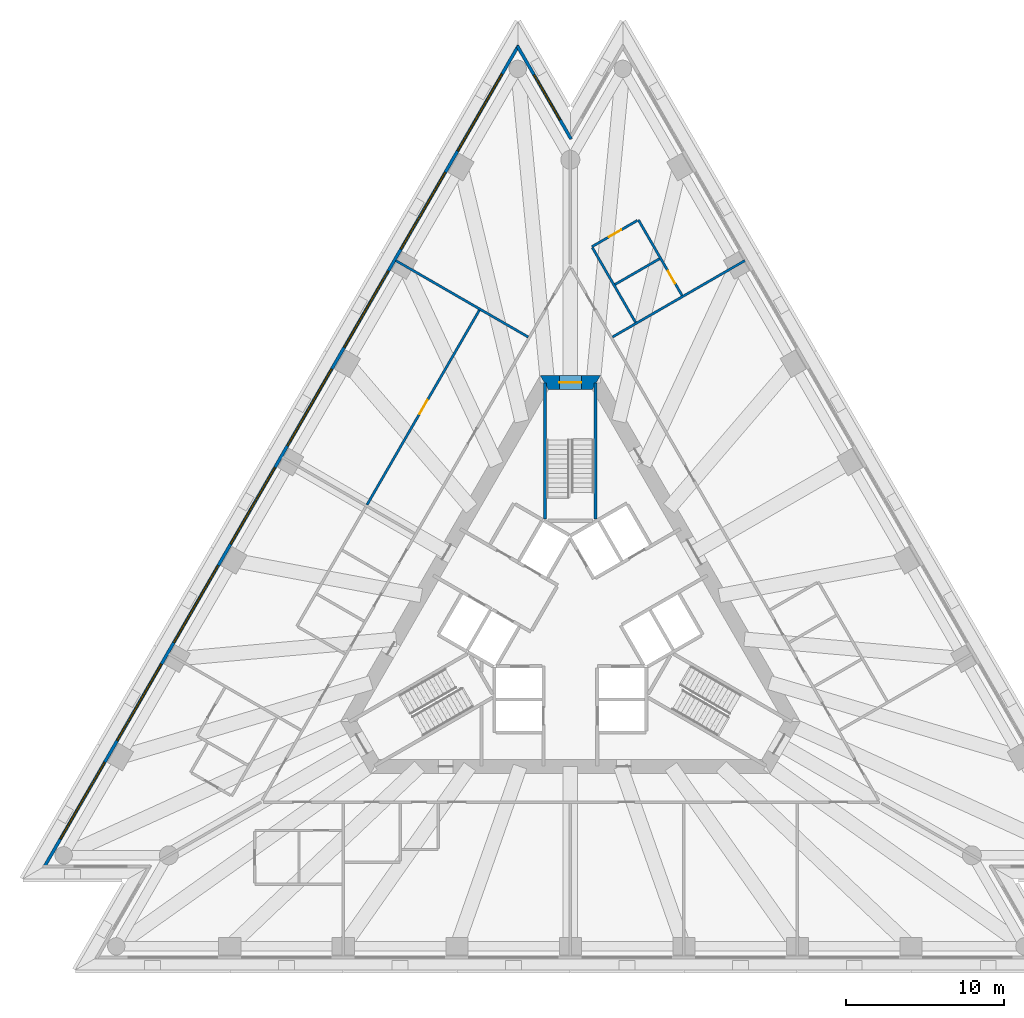
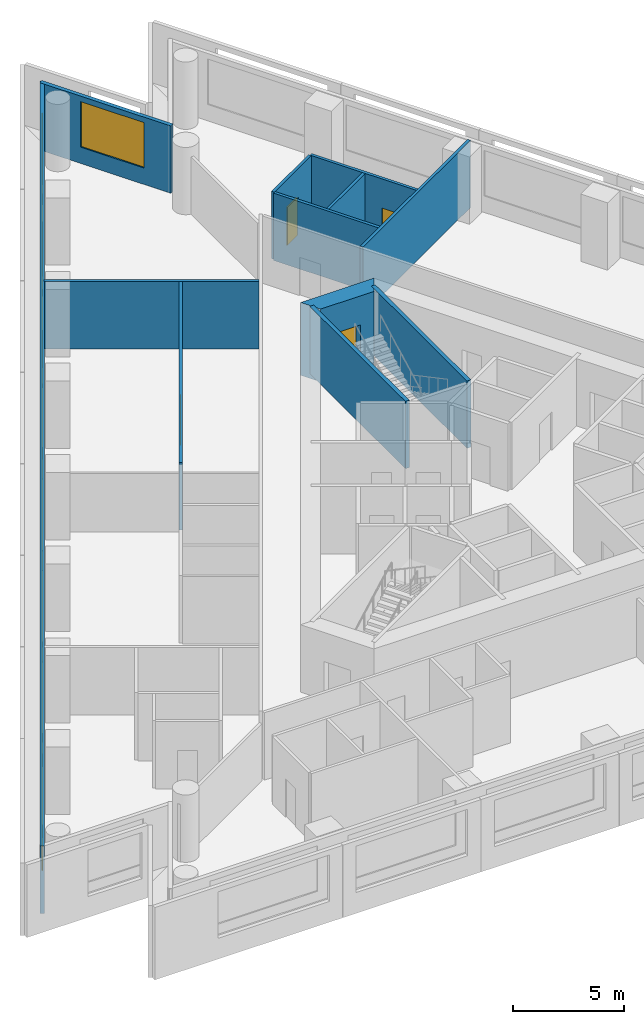
# One storey, part 7 of 11: 12 walls, 9 windows, 4 doors, 13 openings.
"""IFC4 building model written with IfcOpenShell, lengths in metres."""

import ifcopenshell
import ifcopenshell.guid

model = None  # the IFC model being written
_history = None  # IfcOwnerHistory: only IFC2X3 demands one
_inside = {}  # id of a spatial element -> (the spatial element, [elements in it])
_under = {}  # id of a project, library or spatial element -> (it, [spatial elements below it])
_declared = {}  # id of a project -> (the project, [libraries it declares])
_typed = {}  # id of a type object -> (the type object, [elements of that type])
_made_of = {}  # id of a material, layer set ... -> (it, [elements and type objects made of it])


def new_model(schema):
    """Start an empty IFC model of exactly this schema.

    Asked for "IFC4X3", IfcOpenShell would pick the latest addendum, in which some entities
    have other attributes; the version numbers below select the first issue.
    IFC2X3 requires an IfcOwnerHistory on every rooted entity: one is made here for all.
    """
    global model, _history
    if schema == "IFC4X3":
        model = ifcopenshell.file(schema_version=(4, 3, 0, 0))
    else:
        model = ifcopenshell.file(schema=schema)
    _inside.clear()
    _under.clear()
    _declared.clear()
    _typed.clear()
    _made_of.clear()
    _history = None
    if model.schema == "IFC2X3":
        org = make("IfcOrganization", Name="unknown")
        user = make(
            "IfcPersonAndOrganization",
            ThePerson=make("IfcPerson", FamilyName="unknown"),
            TheOrganization=org,
        )
        app = make(
            "IfcApplication",
            ApplicationDeveloper=org,
            Version="unknown",
            ApplicationFullName="unknown",
            ApplicationIdentifier="unknown",
        )
        _history = make(
            "IfcOwnerHistory",
            OwningUser=user,
            OwningApplication=app,
            ChangeAction="ADDED",
            CreationDate=0,
        )
    return model


def make(cls, **values):
    """One entity of the class cls with the attributes given. An attribute that is None is left unset."""
    return model.create_entity(
        cls, **{name: value for name, value in values.items() if value is not None}
    )


def rooted(cls, **values):
    """An entity with a GlobalId (a new one), such as an element, a storey or a relation."""
    return make(cls, GlobalId=ifcopenshell.guid.new(), OwnerHistory=_history, **values)


def si_unit(unit_type, name, prefix=None):
    """IfcSIUnit, for example si_unit("LENGTHUNIT", "METRE", prefix="MILLI")."""
    return make("IfcSIUnit", UnitType=unit_type, Prefix=prefix, Name=name)


def assignment(units):
    """IfcUnitAssignment: the units of a project."""
    return None if units is None else make("IfcUnitAssignment", Units=units)


def point(xyz):
    """IfcCartesianPoint."""
    return None if xyz is None else make("IfcCartesianPoint", Coordinates=xyz)


def direction(xyz):
    """IfcDirection."""
    return None if xyz is None else make("IfcDirection", DirectionRatios=xyz)


def frame(location, z_axis=None, x_axis=None):
    """IfcAxis2Placement3D, a coordinate frame: its origin and axes. An axis left out is left unset."""
    return make(
        "IfcAxis2Placement3D",
        Location=point(location),
        Axis=direction(z_axis),
        RefDirection=direction(x_axis),
    )


def frame_2d(location, x_axis=None):
    """IfcAxis2Placement2D, a coordinate frame in the plane: its origin and x axis."""
    return make(
        "IfcAxis2Placement2D", Location=point(location), RefDirection=direction(x_axis)
    )


def origin():
    """The frame at (0, 0, 0) with its axes left unset."""
    return frame((0.0, 0.0, 0.0))


def place(relative_to, where):
    """IfcLocalPlacement: puts the frame where relative to a parent placement (None: the world)."""
    return make(
        "IfcLocalPlacement", PlacementRelTo=relative_to, RelativePlacement=where
    )


def context(
    kind, dimensions, precision=None, world=None, true_north=None, identifier=None
):
    """IfcGeometricRepresentationContext, for example the 3D "Model" context."""
    return make(
        "IfcGeometricRepresentationContext",
        ContextIdentifier=identifier,
        ContextType=kind,
        CoordinateSpaceDimension=dimensions,
        Precision=precision,
        WorldCoordinateSystem=world,
        TrueNorth=true_north,
    )


def subcontext(parent, identifier, kind, view, scale=None):
    """IfcGeometricRepresentationSubContext, for example "Body" below "Model"."""
    return make(
        "IfcGeometricRepresentationSubContext",
        ContextIdentifier=identifier,
        ContextType=kind,
        ParentContext=parent,
        TargetScale=scale,
        TargetView=view,
    )


def project(units=None, contexts=None):
    """IfcProject with its units and contexts."""
    return rooted(
        "IfcProject",
        Name="project",
        RepresentationContexts=contexts,
        UnitsInContext=assignment(units),
    )


def spatial(cls, under=None, at=None, **own):
    """A site, building, storey or space (cls), placed at a placement, below another one or the project."""
    s = rooted(cls, ObjectPlacement=at, **own)
    if under is not None:
        _under.setdefault(under.id(), (under, []))[1].append(s)
    return s


def polyline(points):
    """IfcPolyline through the points."""
    return make("IfcPolyline", Points=[point(p) for p in points])


def profile(cls, at=None, kind="AREA", **sizes):
    """A parametric profile (cls). Its sizes go by their IFC names, for example OverallWidth=200.0."""
    return make(cls, ProfileType=kind, Position=at, **sizes)


def rectangle(**sizes):
    """IfcRectangleProfileDef."""
    return profile("IfcRectangleProfileDef", **sizes)


def outline(outer, holes=None, kind="AREA"):
    """IfcArbitraryClosedProfileDef: a profile drawn as a closed curve; with holes, ...WithVoids."""
    if holes is None:
        return make("IfcArbitraryClosedProfileDef", ProfileType=kind, OuterCurve=outer)
    return make(
        "IfcArbitraryProfileDefWithVoids",
        ProfileType=kind,
        OuterCurve=outer,
        InnerCurves=holes,
    )


def extrude(swept, where, along, depth):
    """IfcExtrudedAreaSolid: the profile swept, set in the frame where, extruded along a direction by depth."""
    return make(
        "IfcExtrudedAreaSolid",
        SweptArea=swept,
        Position=where,
        ExtrudedDirection=direction(along),
        Depth=depth,
    )


def shape(context_of_items, identifier, shape_type, items):
    """IfcShapeRepresentation: the items that make up one representation, for example the "Body"."""
    return make(
        "IfcShapeRepresentation",
        ContextOfItems=context_of_items,
        RepresentationIdentifier=identifier,
        RepresentationType=shape_type,
        Items=items,
    )


def material(Name=None, Category=None):
    """IfcMaterial."""
    return make("IfcMaterial", Name=Name, Category=Category)


def layer(
    of_material, thickness, ventilated=None, Name=None, Category=None, Priority=None
):
    """IfcMaterialLayer: one layer of a wall or slab, of a material (None: an air gap)."""
    return make(
        "IfcMaterialLayer",
        Material=of_material,
        LayerThickness=thickness,
        IsVentilated=ventilated,
        Name=Name,
        Category=Category,
        Priority=Priority,
    )


def layer_set(layers, Name=None):
    """IfcMaterialLayerSet."""
    return make("IfcMaterialLayerSet", MaterialLayers=layers, LayerSetName=Name)


def layer_usage(for_layer_set, set_direction, sense, offset, extent=None):
    """IfcMaterialLayerSetUsage: how a layer set lies in its element."""
    return make(
        "IfcMaterialLayerSetUsage",
        ForLayerSet=for_layer_set,
        LayerSetDirection=set_direction,
        DirectionSense=sense,
        OffsetFromReferenceLine=offset,
        ReferenceExtent=extent,
    )


def made_of(thing, what):
    """Note that an element or type object is made of a material, layer set ...; save() writes the relation."""
    if what is not None:
        _made_of.setdefault(what.id(), (what, []))[1].append(thing)
    return thing


def type_object(cls, material=None, **own):
    """A type object (cls), such as IfcWallType, which elements share."""
    return made_of(rooted(cls, **own), material)


def element(
    cls,
    number,
    at=None,
    inside=None,
    cuts=None,
    type_object=None,
    material=None,
    context=None,
    identifier="Body",
    shape_type=None,
    held_by="IfcProductDefinitionShape",
    body=None,
    shapes=None,
    **own,
):
    """One element of the class cls, such as IfcWall. Its Tag is "e" and its number.

    at: its placement. inside: the storey or other place that contains it. cuts: it is an
    opening in that element (IfcRelVoidsElement). A single representation is given by context,
    identifier, shape_type and body (its items); several are given by shapes. held_by: the class
    of the entity that holds the representations. save() writes the other relations.
    """
    e = rooted(cls, Tag="e%d" % number, ObjectPlacement=at, **own)
    if body is not None:
        shapes = [shape(context, identifier, shape_type, body)]
    if shapes is not None:
        e.Representation = make(held_by, Representations=shapes)
    if inside is not None:
        _inside.setdefault(inside.id(), (inside, []))[1].append(e)
    if cuts is not None:
        rooted(
            "IfcRelVoidsElement", RelatingBuildingElement=cuts, RelatedOpeningElement=e
        )
    if type_object is not None:
        _typed.setdefault(type_object.id(), (type_object, []))[1].append(e)
    return made_of(e, material)


def fill(opening, filler):
    """IfcRelFillsElement: the door or window that sits in an opening."""
    return rooted(
        "IfcRelFillsElement",
        RelatingOpeningElement=opening,
        RelatedBuildingElement=filler,
    )


def aggregate(whole, parts):
    """IfcRelAggregates: a whole, such as a stair, and the parts it consists of."""
    return rooted("IfcRelAggregates", RelatingObject=whole, RelatedObjects=parts)


def save(model, path):
    """Write the relations noted so far, then the file.

    IfcRelAggregates (storeys below a building ...), IfcRelContainedInSpatialStructure (elements
    in a storey), IfcRelDefinesByType, IfcRelAssociatesMaterial and IfcRelDeclares: one each for
    every whole, place, type object, material and project.
    """
    for whole, parts in _under.values():
        aggregate(whole, parts)
    for where, things in _inside.values():
        rooted(
            "IfcRelContainedInSpatialStructure",
            RelatedElements=things,
            RelatingStructure=where,
        )
    for kind, things in _typed.values():
        rooted("IfcRelDefinesByType", RelatedObjects=things, RelatingType=kind)
    for what, things in _made_of.values():
        rooted("IfcRelAssociatesMaterial", RelatedObjects=things, RelatingMaterial=what)
    for by, libraries in _declared.values():
        rooted("IfcRelDeclares", RelatingContext=by, RelatedDefinitions=libraries)
    model.write(path)


model = new_model("IFC4")

# Units and contexts
model_context = context("Model", 3, precision=1e-05, world=origin(), true_north=direction((0.0, 1.0)))
body_context = subcontext(model_context, "Body", "Model", "MODEL_VIEW")
ifc_project = project(units=[si_unit("LENGTHUNIT", "METRE"), si_unit("AREAUNIT", "SQUARE_METRE"), si_unit("VOLUMEUNIT", "CUBIC_METRE"), si_unit("PLANEANGLEUNIT", "RADIAN"), si_unit("MASSUNIT", "GRAM", prefix="KILO")], contexts=[model_context])

# Site, building, storey
site_placement = place(None, origin())
site = spatial("IfcSite", under=ifc_project, at=site_placement, CompositionType="ELEMENT")
building_placement = place(site_placement, origin())
building = spatial("IfcBuilding", under=site, at=building_placement, Name="Triada Interchange Tower", CompositionType="ELEMENT")
storey_placement = place(building_placement, frame((0.0, 0.0, 83.300048828125)))
storey = spatial("IfcBuildingStorey", under=building, at=storey_placement, Name="L18", CompositionType="ELEMENT", Elevation=83.300048828125)

# Walls
ifc_material_1 = material(Name="Concrete C30/37", Category="concrete")
ifc_layer_1 = layer(ifc_material_1, 0.199951171875)
ifc_layer_set_1 = layer_set([ifc_layer_1], Name="CORE WALL 200 REI 240")
wall_type_1 = type_object("IfcWallType", Name="CORE WALL 200 REI 240", PredefinedType="SOLIDWALL", material=ifc_layer_set_1)
for number, where, z_axis, x_axis, name in (
    (1, (1.60009765625, 6.614990234375, 0.0), (0.0, 0.0, 1.0), (0.0, 1.0, 0.0), "Wall L18 84"),
    (2, (-1.60009765625, 6.614990234375, 0.0), (0.0, 0.0, 1.0), (0.0, 1.0, 0.0), "Wall L18 86"),
):
    element("IfcWall", number, at=place(storey_placement, frame(where, z_axis=z_axis, x_axis=x_axis)), inside=storey, type_object=wall_type_1, Name=name, PredefinedType="SOLIDWALL", context=body_context, shape_type="SweptSolid", body=[
        extrude(rectangle(XDim=8.614990234375, YDim=0.199951171875, at=frame_2d((4.3076171875, 0.0))), origin(), (0.0, 0.0, 1.0), 3.699951171875),
    ])

# Wall, opening, door
ifc_material_2 = material(Name="Concrete C70/85", Category="concrete")
ifc_layer_2 = layer(ifc_material_2, 0.89990234375)
ifc_layer_set_2 = layer_set([ifc_layer_2], Name="Core wall A 900")
wall_type_2 = type_object("IfcWallType", Name="Core wall A 900", PredefinedType="SHEAR", material=ifc_layer_set_2)
wall_1_placement = place(storey_placement, frame((1.64501953125, 15.25, -0.300048828125), z_axis=(0.0, 0.0, 1.0), x_axis=(-1.0, 0.0, 0.0)))
wall_1 = element("IfcWall", 3, at=wall_1_placement, inside=storey, type_object=wall_type_2, Name="Core wall WA01 L18", PredefinedType="SHEAR", context=body_context, shape_type="SweptSolid", body=[
    extrude(outline(polyline([(-0.260009765625, -0.449951171875), (1.64501953125, -0.449951171875), (3.550048828125, -0.449951171875), (3.031005859375, 0.449951171875), (1.64501953125, 0.449951171875), (0.259033203125, 0.449951171875), (-0.260009765625, -0.449951171875)])), origin(), (0.0, 0.0, 1.0), 4.0),
])
opening_1_placement = place(wall_1_placement, frame((0.945068359375, 0.0, 0.300048828125)))
opening_1 = element("IfcOpeningElement", 4, at=opening_1_placement, cuts=wall_1, Name="Opening D18-39", PredefinedType="OPENING", context=body_context, shape_type="SweptSolid", body=[
    extrude(rectangle(XDim=1.39990234375, YDim=2.10009765625, at=frame_2d((0.699951171875, 1.050048828125))), frame((0.0, 0.4599609375, 0.0), z_axis=(0.0, -1.0, 0.0), x_axis=(1.0, 0.0, 0.0)), (0.0, 0.0, 1.0), 0.919921875),
])
ifc_material_3 = material(Name="Steel S235 door leaf", Category="steel")
door_type_1 = type_object("IfcDoorType", Name="STAIR DOOR 1400 EI2 90-C5S200", OperationType="DOUBLE_DOOR_SINGLE_SWING", PredefinedType="DOOR", material=ifc_material_3)
door_1_placement = place(opening_1_placement, origin())
door_1 = element("IfcDoor", 5, at=door_1_placement, inside=storey, type_object=door_type_1, Name="Door D18-39 L18", OperationType="DOUBLE_DOOR_SINGLE_SWING", OverallHeight=2.10009765625, OverallWidth=1.39990234375, PredefinedType="DOOR", context=body_context, shape_type="SweptSolid", body=[
    extrude(rectangle(XDim=1.39990234375, YDim=2.10009765625, at=frame_2d((0.699951171875, 1.050048828125))), frame((0.0, 0.02490234375, 0.0), z_axis=(0.0, -1.0, 0.0), x_axis=(1.0, 0.0, 0.0)), (0.0, 0.0, 1.0), 0.050048828125),
])
fill(opening_1, door_1)

# Wall, openings, windows
ifc_material_4 = material(Name="Cement board")
ifc_layer_3 = layer(ifc_material_4, 0.02001953125, Name="Cement board cladding")
ifc_material_5 = material(Name="Sheathing board")
ifc_layer_4 = layer(ifc_material_5, 0.014892578125, Name="Sheathing board")
ifc_material_6 = material(Name="Mineral wool")
ifc_layer_5 = layer(ifc_material_6, 0.14990234375, Name="Mineral wool between steel studs")
ifc_material_7 = material(Name="Gypsum board")
ifc_layer_6 = layer(ifc_material_7, 0.014892578125, Name="Plasterboard lining")
ifc_layer_set_3 = layer_set([ifc_layer_3, ifc_layer_4, ifc_layer_5, ifc_layer_6], Name="External wall 200")
ifc_layer_usage = layer_usage(ifc_layer_set_3, "AXIS2", "POSITIVE", -0.10009765625)
wall_type_3 = type_object("IfcWallType", Name="External wall 200", PredefinedType="ELEMENTEDWALL", material=ifc_layer_set_3)
wall_2_placement = place(storey_placement, frame((-3.280029296875, 36.576904296875, 0.0), z_axis=(0.0, 0.0, 1.0), x_axis=(-0.500001635065, -0.866024459777, 0.0)))
wall_2 = element("IfcWall", 6, at=wall_2_placement, inside=storey, type_object=wall_type_3, material=ifc_layer_usage, Name="External wall L18 NW", PredefinedType="ELEMENTEDWALL", context=body_context, shape_type="SweptSolid", body=[
    extrude(rectangle(XDim=60.053466796875, YDim=0.199951171875, at=frame_2d((30.02685546875, 0.0))), origin(), (0.0, 0.0, 1.0), 3.699951171875),
])
opening_2_placement = place(wall_2_placement, frame((2.093994140625, 0.0, 0.89990234375)))
opening_2 = element("IfcOpeningElement", 7, at=opening_2_placement, cuts=wall_2, Name="Opening WA01", PredefinedType="OPENING", context=body_context, shape_type="SweptSolid", body=[
    extrude(rectangle(XDim=5.60009765625, YDim=2.5, at=frame_2d((2.800048828125, 1.25))), frame((0.0, 0.10986328125, 0.0), z_axis=(0.0, -1.0, 0.0), x_axis=(1.0, 0.0, 0.0)), (0.0, 0.0, 1.0), 0.219970703125),
])
opening_3_placement = place(wall_2_placement, frame((9.278076171875, 0.0, 0.89990234375)))
opening_3 = element("IfcOpeningElement", 8, at=opening_3_placement, cuts=wall_2, Name="Opening WA02", PredefinedType="OPENING", context=body_context, shape_type="SweptSolid", body=[
    extrude(rectangle(XDim=5.60009765625, YDim=2.5, at=frame_2d((2.800048828125, 1.25))), frame((0.0, 0.10986328125, 0.0), z_axis=(0.0, -1.0, 0.0), x_axis=(1.0, 0.0, 0.0)), (0.0, 0.0, 1.0), 0.219970703125),
])
opening_4_placement = place(wall_2_placement, frame((16.4609375, 0.0, 0.89990234375)))
opening_4 = element("IfcOpeningElement", 9, at=opening_4_placement, cuts=wall_2, Name="Opening WA03", PredefinedType="OPENING", context=body_context, shape_type="SweptSolid", body=[
    extrude(rectangle(XDim=5.60009765625, YDim=2.5, at=frame_2d((2.800048828125, 1.25))), frame((0.0, 0.10986328125, 0.0), z_axis=(0.0, -1.0, 0.0), x_axis=(1.0, 0.0, 0.0)), (0.0, 0.0, 1.0), 0.219970703125),
])
opening_5_placement = place(wall_2_placement, frame((23.64501953125, 0.0, 0.89990234375)))
opening_5 = element("IfcOpeningElement", 10, at=opening_5_placement, cuts=wall_2, Name="Opening WA04", PredefinedType="OPENING", context=body_context, shape_type="SweptSolid", body=[
    extrude(rectangle(XDim=5.60009765625, YDim=2.5, at=frame_2d((2.800048828125, 1.25))), frame((0.0, 0.10986328125, 0.0), z_axis=(0.0, -1.0, 0.0), x_axis=(1.0, 0.0, 0.0)), (0.0, 0.0, 1.0), 0.219970703125),
])
opening_6_placement = place(wall_2_placement, frame((30.827880859375, 0.0, 0.89990234375)))
opening_6 = element("IfcOpeningElement", 11, at=opening_6_placement, cuts=wall_2, Name="Opening WA05", PredefinedType="OPENING", context=body_context, shape_type="SweptSolid", body=[
    extrude(rectangle(XDim=5.60009765625, YDim=2.5, at=frame_2d((2.800048828125, 1.25))), frame((0.0, 0.10986328125, 0.0), z_axis=(0.0, -1.0, 0.0), x_axis=(1.0, 0.0, 0.0)), (0.0, 0.0, 1.0), 0.219970703125),
])
opening_7_placement = place(wall_2_placement, frame((38.011962890625, 0.0, 0.89990234375)))
opening_7 = element("IfcOpeningElement", 12, at=opening_7_placement, cuts=wall_2, Name="Opening WA06", PredefinedType="OPENING", context=body_context, shape_type="SweptSolid", body=[
    extrude(rectangle(XDim=5.60009765625, YDim=2.5, at=frame_2d((2.800048828125, 1.25))), frame((0.0, 0.10986328125, 0.0), z_axis=(0.0, -1.0, 0.0), x_axis=(1.0, 0.0, 0.0)), (0.0, 0.0, 1.0), 0.219970703125),
])
opening_8_placement = place(wall_2_placement, frame((45.195068359375, 0.0, 0.89990234375)))
opening_8 = element("IfcOpeningElement", 13, at=opening_8_placement, cuts=wall_2, Name="Opening WA07", PredefinedType="OPENING", context=body_context, shape_type="SweptSolid", body=[
    extrude(rectangle(XDim=5.60009765625, YDim=2.5, at=frame_2d((2.800048828125, 1.25))), frame((0.0, 0.10986328125, 0.0), z_axis=(0.0, -1.0, 0.0), x_axis=(1.0, 0.0, 0.0)), (0.0, 0.0, 1.0), 0.219970703125),
])
opening_9_placement = place(wall_2_placement, frame((52.37890625, 0.0, 0.89990234375)))
opening_9 = element("IfcOpeningElement", 14, at=opening_9_placement, cuts=wall_2, Name="Opening WA08", PredefinedType="OPENING", context=body_context, shape_type="SweptSolid", body=[
    extrude(rectangle(XDim=5.60009765625, YDim=2.5, at=frame_2d((2.800048828125, 1.25))), frame((0.0, 0.10986328125, 0.0), z_axis=(0.0, -1.0, 0.0), x_axis=(1.0, 0.0, 0.0)), (0.0, 0.0, 1.0), 0.219970703125),
])
ifc_material_8 = material(Name="Double glazed aluminium window", Category="aluminium")
window_type_1 = type_object("IfcWindowType", Name="Ribbon window A face", PartitioningType="SINGLE_PANEL", PredefinedType="WINDOW", material=ifc_material_8)
window_1_placement = place(opening_2_placement, origin())
window_1 = element("IfcWindow", 15, at=window_1_placement, inside=storey, type_object=window_type_1, Name="Window L18 NW 1", OverallHeight=2.5, OverallWidth=5.60009765625, PartitioningType="SINGLE_PANEL", PredefinedType="WINDOW", context=body_context, shape_type="SweptSolid", body=[
    extrude(rectangle(XDim=5.60009765625, YDim=2.5, at=frame_2d((2.800048828125, 1.25))), frame((0.0, 0.030029296875, 0.0), z_axis=(0.0, -1.0, 0.0), x_axis=(1.0, 0.0, 0.0)), (0.0, 0.0, 1.0), 0.06005859375),
])
fill(opening_2, window_1)
window_2_placement = place(opening_3_placement, origin())
window_2 = element("IfcWindow", 16, at=window_2_placement, inside=storey, type_object=window_type_1, Name="Window L18 NW 2", OverallHeight=2.5, OverallWidth=5.60009765625, PartitioningType="SINGLE_PANEL", PredefinedType="WINDOW", context=body_context, shape_type="SweptSolid", body=[
    extrude(rectangle(XDim=5.60009765625, YDim=2.5, at=frame_2d((2.800048828125, 1.25))), frame((0.0, 0.030029296875, 0.0), z_axis=(0.0, -1.0, 0.0), x_axis=(1.0, 0.0, 0.0)), (0.0, 0.0, 1.0), 0.06005859375),
])
fill(opening_3, window_2)
window_3_placement = place(opening_4_placement, origin())
window_3 = element("IfcWindow", 17, at=window_3_placement, inside=storey, type_object=window_type_1, Name="Window L18 NW 3", OverallHeight=2.5, OverallWidth=5.60009765625, PartitioningType="SINGLE_PANEL", PredefinedType="WINDOW", context=body_context, shape_type="SweptSolid", body=[
    extrude(rectangle(XDim=5.60009765625, YDim=2.5, at=frame_2d((2.800048828125, 1.25))), frame((0.0, 0.030029296875, 0.0), z_axis=(0.0, -1.0, 0.0), x_axis=(1.0, 0.0, 0.0)), (0.0, 0.0, 1.0), 0.06005859375),
])
fill(opening_4, window_3)
window_4_placement = place(opening_5_placement, origin())
window_4 = element("IfcWindow", 18, at=window_4_placement, inside=storey, type_object=window_type_1, Name="Window L18 NW 4", OverallHeight=2.5, OverallWidth=5.60009765625, PartitioningType="SINGLE_PANEL", PredefinedType="WINDOW", context=body_context, shape_type="SweptSolid", body=[
    extrude(rectangle(XDim=5.60009765625, YDim=2.5, at=frame_2d((2.800048828125, 1.25))), frame((0.0, 0.030029296875, 0.0), z_axis=(0.0, -1.0, 0.0), x_axis=(1.0, 0.0, 0.0)), (0.0, 0.0, 1.0), 0.06005859375),
])
fill(opening_5, window_4)
window_5_placement = place(opening_6_placement, origin())
window_5 = element("IfcWindow", 19, at=window_5_placement, inside=storey, type_object=window_type_1, Name="Window L18 NW 5", OverallHeight=2.5, OverallWidth=5.60009765625, PartitioningType="SINGLE_PANEL", PredefinedType="WINDOW", context=body_context, shape_type="SweptSolid", body=[
    extrude(rectangle(XDim=5.60009765625, YDim=2.5, at=frame_2d((2.800048828125, 1.25))), frame((0.0, 0.030029296875, 0.0), z_axis=(0.0, -1.0, 0.0), x_axis=(1.0, 0.0, 0.0)), (0.0, 0.0, 1.0), 0.06005859375),
])
fill(opening_6, window_5)
window_6_placement = place(opening_7_placement, origin())
window_6 = element("IfcWindow", 20, at=window_6_placement, inside=storey, type_object=window_type_1, Name="Window L18 NW 6", OverallHeight=2.5, OverallWidth=5.60009765625, PartitioningType="SINGLE_PANEL", PredefinedType="WINDOW", context=body_context, shape_type="SweptSolid", body=[
    extrude(rectangle(XDim=5.60009765625, YDim=2.5, at=frame_2d((2.800048828125, 1.25))), frame((0.0, 0.030029296875, 0.0), z_axis=(0.0, -1.0, 0.0), x_axis=(1.0, 0.0, 0.0)), (0.0, 0.0, 1.0), 0.06005859375),
])
fill(opening_7, window_6)
window_7_placement = place(opening_8_placement, origin())
window_7 = element("IfcWindow", 21, at=window_7_placement, inside=storey, type_object=window_type_1, Name="Window L18 NW 7", OverallHeight=2.5, OverallWidth=5.60009765625, PartitioningType="SINGLE_PANEL", PredefinedType="WINDOW", context=body_context, shape_type="SweptSolid", body=[
    extrude(rectangle(XDim=5.60009765625, YDim=2.5, at=frame_2d((2.800048828125, 1.25))), frame((0.0, 0.030029296875, 0.0), z_axis=(0.0, -1.0, 0.0), x_axis=(1.0, 0.0, 0.0)), (0.0, 0.0, 1.0), 0.06005859375),
])
fill(opening_8, window_7)
window_8_placement = place(opening_9_placement, origin())
window_8 = element("IfcWindow", 22, at=window_8_placement, inside=storey, type_object=window_type_1, Name="Window L18 NW 8", OverallHeight=2.5, OverallWidth=5.60009765625, PartitioningType="SINGLE_PANEL", PredefinedType="WINDOW", context=body_context, shape_type="SweptSolid", body=[
    extrude(rectangle(XDim=5.60009765625, YDim=2.5, at=frame_2d((2.800048828125, 1.25))), frame((0.0, 0.030029296875, 0.0), z_axis=(0.0, -1.0, 0.0), x_axis=(1.0, 0.0, 0.0)), (0.0, 0.0, 1.0), 0.06005859375),
])
fill(opening_9, window_8)

# Wall, opening, window
wall_3_placement = place(storey_placement, frame((0.044921875, 30.662109375, 0.0), z_axis=(0.0, 0.0, 1.0), x_axis=(-0.499983120418, 0.866035148996, 0.0)))
wall_3 = element("IfcWall", 23, at=wall_3_placement, inside=storey, type_object=wall_type_3, material=ifc_layer_usage, Name="External wall L18 N-2", PredefinedType="ELEMENTEDWALL", context=body_context, shape_type="SweptSolid", body=[
    extrude(rectangle(XDim=6.810302734375, YDim=0.199951171875, at=frame_2d((3.4052734375, 0.0))), origin(), (0.0, 0.0, 1.0), 3.699951171875),
])
opening_10_placement = place(wall_3_placement, frame((1.389892578125, 0.0, 0.89990234375)))
opening_10 = element("IfcOpeningElement", 24, at=opening_10_placement, cuts=wall_3, Name="Opening WA30", PredefinedType="OPENING", context=body_context, shape_type="SweptSolid", body=[
    extrude(rectangle(XDim=3.300048828125, YDim=2.5, at=frame_2d((1.64990234375, 1.25))), frame((0.0, 0.10986328125, 0.0), z_axis=(0.0, -1.0, 0.0), x_axis=(1.0, 0.0, 0.0)), (0.0, 0.0, 1.0), 0.219970703125),
])
window_type_2 = type_object("IfcWindowType", Name="Ribbon window A pocket", PartitioningType="SINGLE_PANEL", PredefinedType="WINDOW", material=ifc_material_8)
window_9_placement = place(opening_10_placement, origin())
window_9 = element("IfcWindow", 25, at=window_9_placement, inside=storey, type_object=window_type_2, Name="Window L18 N-2 1", OverallHeight=2.5, OverallWidth=3.300048828125, PartitioningType="SINGLE_PANEL", PredefinedType="WINDOW", context=body_context, shape_type="SweptSolid", body=[
    extrude(rectangle(XDim=3.300048828125, YDim=2.5, at=frame_2d((1.64990234375, 1.25))), frame((0.0, 0.030029296875, 0.0), z_axis=(0.0, -1.0, 0.0), x_axis=(1.0, 0.0, 0.0)), (0.0, 0.0, 1.0), 0.06005859375),
])
fill(opening_10, window_9)

# Walls
ifc_material_9 = material(Name="Gypsum board partition")
ifc_layer_7 = layer(ifc_material_9, 0.14990234375)
ifc_layer_set_4 = layer_set([ifc_layer_7], Name="PARTITION 150 EI 180")
wall_type_4 = type_object("IfcWallType", Name="PARTITION 150 EI 180", PredefinedType="PARTITIONING", material=ifc_layer_set_4)
for number, where, z_axis, x_axis, name in (
    (26, (-11.044921875, 22.967041015625, 0.0), (0.0, 0.0, 1.0), (0.866018320735, -0.500012268001, 0.0), "Wall L18 14"),
    (27, (2.6669921875, 18.1298828125, 0.0), (0.0, 0.0, 1.0), (0.866018320735, 0.500012268001, 0.0), "Wall L18 20"),
):
    element("IfcWall", number, at=place(storey_placement, frame(where, z_axis=z_axis, x_axis=x_axis)), inside=storey, type_object=wall_type_4, Name=name, PredefinedType="PARTITIONING", context=body_context, shape_type="SweptSolid", body=[
        extrude(rectangle(XDim=9.674072265625, YDim=0.14990234375, at=frame_2d((4.8369140625, 0.0))), origin(), (0.0, 0.0, 1.0), 3.699951171875),
    ])

# Wall, opening, door
ifc_layer_8 = layer(ifc_material_9, 0.14990234375)
ifc_layer_set_5 = layer_set([ifc_layer_8], Name="PARTITION 150 EI 90")
wall_type_5 = type_object("IfcWallType", Name="PARTITION 150 EI 90", PredefinedType="PARTITIONING", material=ifc_layer_set_5)
wall_4_placement = place(storey_placement, frame((-12.865966796875, 7.514892578125, 0.0), z_axis=(0.0, 0.0, 1.0), x_axis=(0.499947407797, 0.866055765778, 0.0)))
wall_4 = element("IfcWall", 28, at=wall_4_placement, inside=storey, type_object=wall_type_5, Name="Wall L18 37", PredefinedType="PARTITIONING", context=body_context, shape_type="SweptSolid", body=[
    extrude(rectangle(XDim=14.21728515625, YDim=0.14990234375, at=frame_2d((7.108642578125, 0.0))), origin(), (0.0, 0.0, 1.0), 3.699951171875),
])
opening_11_placement = place(wall_4_placement, frame((6.64208984375, 0.0, 0.0)))
opening_11 = element("IfcOpeningElement", 29, at=opening_11_placement, cuts=wall_4, Name="Opening D18-30", PredefinedType="OPENING", context=body_context, shape_type="SweptSolid", body=[
    extrude(rectangle(XDim=1.0, YDim=2.10009765625, at=frame_2d((0.5, 1.050048828125))), frame((0.0, 0.0849609375, 0.0), z_axis=(0.0, -1.0, 0.0), x_axis=(1.0, 0.0, 0.0)), (0.0, 0.0, 1.0), 0.169921875),
])
door_type_2 = type_object("IfcDoorType", Name="ROOM DOOR 1000 EI2 45-C5S200", OperationType="NOTDEFINED", PredefinedType="DOOR", material=ifc_material_3)
door_2_placement = place(opening_11_placement, origin())
door_2 = element("IfcDoor", 30, at=door_2_placement, inside=storey, type_object=door_type_2, Name="Door D18-30 L18", OperationType="SINGLE_SWING_LEFT", OverallHeight=2.10009765625, OverallWidth=1.0, PredefinedType="DOOR", context=body_context, shape_type="SweptSolid", body=[
    extrude(rectangle(XDim=1.0, YDim=2.10009765625, at=frame_2d((0.5, 1.050048828125))), frame((0.0, 0.02490234375, 0.0), z_axis=(0.0, -1.0, 0.0), x_axis=(1.0, 0.0, 0.0)), (0.0, 0.0, 1.0), 0.050048828125),
])
fill(opening_11, door_2)

# Wall
wall_5_placement = place(storey_placement, frame((2.825927734375, 21.455078125, 0.0), z_axis=(0.0, 0.0, 1.0), x_axis=(0.866071776036, 0.499919672301, 0.0)))
element("IfcWall", 31, at=wall_5_placement, inside=storey, type_object=wall_type_5, Name="Wall L18 38", PredefinedType="PARTITIONING", context=body_context, shape_type="SweptSolid", body=[
    extrude(rectangle(XDim=3.25048828125, YDim=0.14990234375, at=frame_2d((1.625244140625, 0.0))), origin(), (0.0, 0.0, 1.0), 3.699951171875),
])

# Wall, opening, door
wall_6_placement = place(storey_placement, frame((4.305908203125, 25.5419921875, 0.0), z_axis=(0.0, 0.0, 1.0), x_axis=(0.500027228848, -0.866009682631, 0.0)))
wall_6 = element("IfcWall", 32, at=wall_6_placement, inside=storey, type_object=wall_type_5, Name="Wall L18 39", PredefinedType="PARTITIONING", context=body_context, shape_type="SweptSolid", body=[
    extrude(rectangle(XDim=5.524169921875, YDim=0.14990234375, at=frame_2d((2.76220703125, 0.0))), origin(), (0.0, 0.0, 1.0), 3.699951171875),
])
opening_12_placement = place(wall_6_placement, frame((3.7490234375, 0.0, 0.0)))
opening_12 = element("IfcOpeningElement", 33, at=opening_12_placement, cuts=wall_6, Name="Opening D18-26", PredefinedType="OPENING", context=body_context, shape_type="SweptSolid", body=[
    extrude(rectangle(XDim=0.89990234375, YDim=2.10009765625, at=frame_2d((0.449951171875, 1.050048828125))), frame((0.0, 0.0849609375, 0.0), z_axis=(0.0, -1.0, 0.0), x_axis=(1.0, 0.0, 0.0)), (0.0, 0.0, 1.0), 0.169921875),
])
door_type_3 = type_object("IfcDoorType", Name="ROOM DOOR 900 EI2 45-C5S200", OperationType="NOTDEFINED", PredefinedType="DOOR", material=ifc_material_3)
door_3_placement = place(opening_12_placement, origin())
door_3 = element("IfcDoor", 34, at=door_3_placement, inside=storey, type_object=door_type_3, Name="Door D18-26 L18", OperationType="SINGLE_SWING_LEFT", OverallHeight=2.10009765625, OverallWidth=0.89990234375, PredefinedType="DOOR", context=body_context, shape_type="SweptSolid", body=[
    extrude(rectangle(XDim=0.89990234375, YDim=2.10009765625, at=frame_2d((0.449951171875, 1.050048828125))), frame((0.0, 0.02490234375, 0.0), z_axis=(0.0, -1.0, 0.0), x_axis=(1.0, 0.0, 0.0)), (0.0, 0.0, 1.0), 0.050048828125),
])
fill(opening_12, door_3)

wall_7_placement = place(storey_placement, frame((1.361083984375, 23.842041015625, 0.0), z_axis=(0.0, 0.0, 1.0), x_axis=(0.866007085157, 0.500031727451, 0.0)))
wall_7 = element("IfcWall", 35, at=wall_7_placement, inside=storey, type_object=wall_type_5, Name="Wall L18 40", PredefinedType="PARTITIONING", context=body_context, shape_type="SweptSolid", body=[
    extrude(rectangle(XDim=3.325439453125, YDim=0.14990234375, at=frame_2d((1.66259765625, 0.0))), origin(), (0.0, 0.0, 1.0), 3.699951171875),
])
opening_13_placement = place(wall_7_placement, frame((1.25, 0.0, 0.0)))
opening_13 = element("IfcOpeningElement", 36, at=opening_13_placement, cuts=wall_7, Name="Opening D18-27", PredefinedType="OPENING", context=body_context, shape_type="SweptSolid", body=[
    extrude(rectangle(XDim=0.89990234375, YDim=2.10009765625, at=frame_2d((0.449951171875, 1.050048828125))), frame((0.0, 0.0849609375, 0.0), z_axis=(0.0, -1.0, 0.0), x_axis=(1.0, 0.0, 0.0)), (0.0, 0.0, 1.0), 0.169921875),
])
door_4_placement = place(opening_13_placement, origin())
door_4 = element("IfcDoor", 37, at=door_4_placement, inside=storey, type_object=door_type_3, Name="Door D18-27 L18", OperationType="SINGLE_SWING_RIGHT", OverallHeight=2.10009765625, OverallWidth=0.89990234375, PredefinedType="DOOR", context=body_context, shape_type="SweptSolid", body=[
    extrude(rectangle(XDim=0.89990234375, YDim=2.10009765625, at=frame_2d((0.449951171875, 1.050048828125))), frame((0.0, 0.02490234375, 0.0), z_axis=(0.0, -1.0, 0.0), x_axis=(1.0, 0.0, 0.0)), (0.0, 0.0, 1.0), 0.050048828125),
])
fill(opening_13, door_4)

# Wall
wall_8_placement = place(storey_placement, frame((1.39892578125, 23.777099609375, 0.0), z_axis=(0.0, 0.0, 1.0), x_axis=(0.500080528864, -0.865978905431, 0.0)))
element("IfcWall", 38, at=wall_8_placement, inside=storey, type_object=wall_type_5, Name="Wall L18 41", PredefinedType="PARTITIONING", context=body_context, shape_type="SweptSolid", body=[
    extrude(rectangle(XDim=5.44921875, YDim=0.14990234375, at=frame_2d((2.724609375, 0.0))), origin(), (0.0, 0.0, 1.0), 3.699951171875),
])

save(model, "model.ifc")
